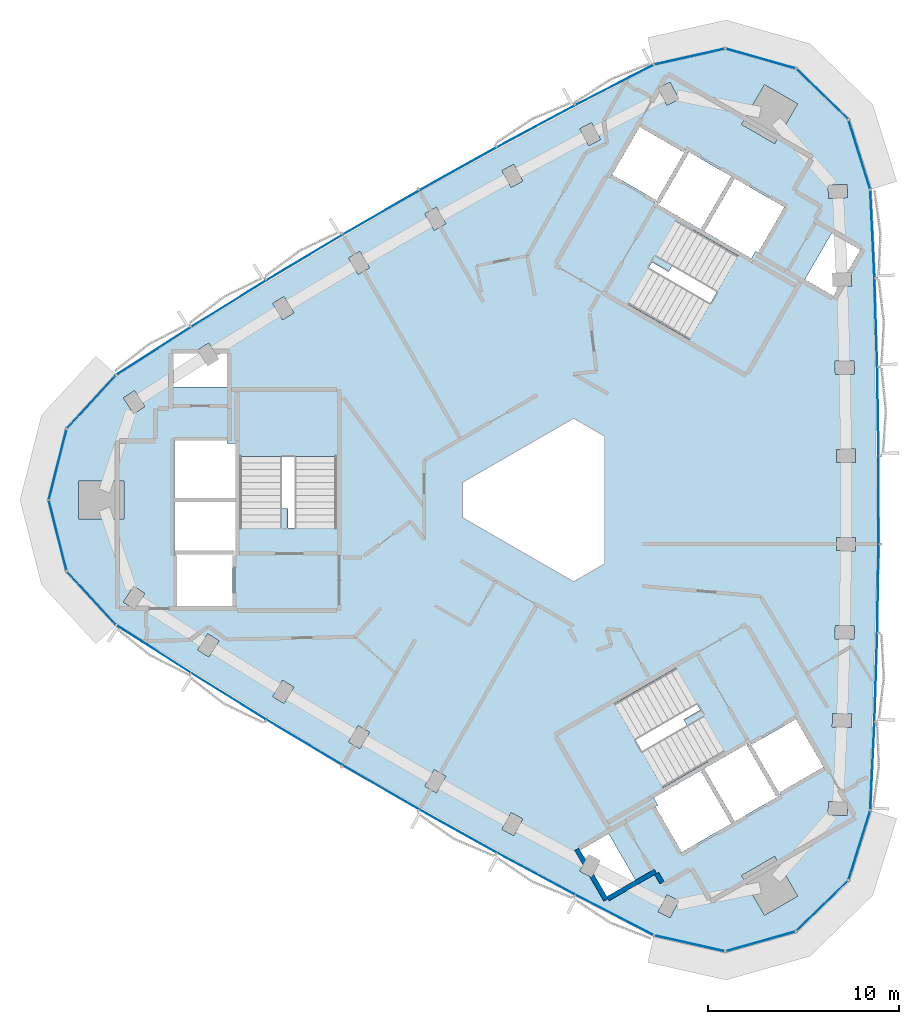
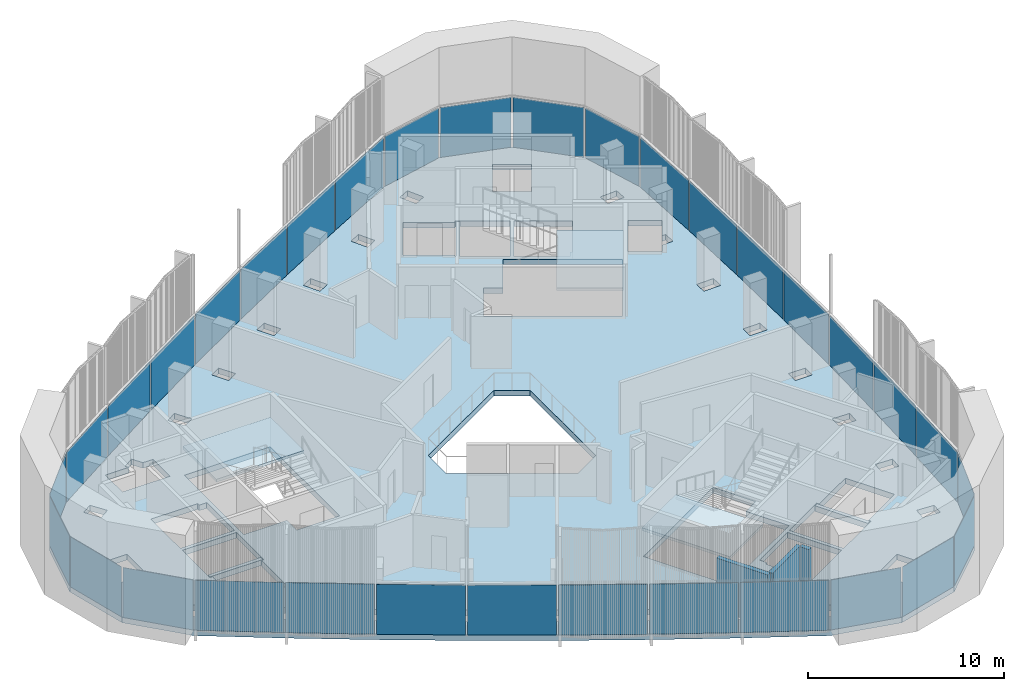
# One storey, part 5 of 13: 33 plates, 4 slabs, 3 walls, 6 elements without a shape of their own.
"""IFC4 building model written with IfcOpenShell, lengths in metres."""

from ifc_helpers import new_model, si_unit, direction, frame, frame_2d, origin, origin_2d, place, context, subcontext, project, spatial, polyline, rectangle, outline, extrude, material, layer, layer_set, type_object, element, aggregate, save


model = new_model("IFC4")

# Units and contexts
model_context = context("Model", 3, precision=1e-05, world=origin(), true_north=direction((0.0, 1.0)))
body_context = subcontext(model_context, "Body", "Model", "MODEL_VIEW")
ifc_project = project(units=[si_unit("LENGTHUNIT", "METRE"), si_unit("AREAUNIT", "SQUARE_METRE"), si_unit("VOLUMEUNIT", "CUBIC_METRE"), si_unit("PLANEANGLEUNIT", "RADIAN"), si_unit("MASSUNIT", "GRAM", prefix="KILO")], contexts=[model_context])

# Site, building, storey
site_placement = place(None, origin())
site = spatial("IfcSite", under=ifc_project, at=site_placement, CompositionType="ELEMENT")
building_placement = place(site_placement, origin())
building = spatial("IfcBuilding", under=site, at=building_placement, Name="Tamra Quay Hotel Tower", CompositionType="ELEMENT")
storey_placement = place(building_placement, frame((0.0, 0.0, 291.0)))
storey = spatial("IfcBuildingStorey", under=building, at=storey_placement, Name="L73", CompositionType="ELEMENT", Elevation=291.0)

# Stair, slab
ifc_material_1 = material(Name="Exit stair 2200 24 risers 150.0 going 342")
stair_type = type_object("IfcStairType", Name="Exit stair 2200 24 risers 150.0 going 342", PredefinedType="HALF_TURN_STAIR", material=ifc_material_1)
stair_1_placement = place(storey_placement, origin())
stair_1 = element("IfcStair", 1, at=stair_1_placement, inside=storey, type_object=stair_type, Name="L73 Exit stair ST3", PredefinedType="HALF_TURN_STAIR")
ifc_material_2 = material(Name="Concrete M70", Category="concrete")
ifc_layer_1 = layer(ifc_material_2, 0.175048828125)
ifc_layer_set_1 = layer_set([ifc_layer_1], Name="Concrete M70 stair landing 180")
slab_type_1 = type_object("IfcSlabType", Name="Concrete M70 stair landing 180", PredefinedType="LANDING", material=ifc_layer_set_1)
slab_1_placement = place(storey_placement, frame((0.0, 0.0, 1.625)))
slab_1 = element("IfcSlab", 2, at=slab_1_placement, type_object=slab_type_1, Name="ST3 landing 1", PredefinedType="LANDING", context=body_context, shape_type="SweptSolid", body=[
    extrude(outline(polyline([(-10.932373046875, 2.261962890625), (-10.932373046875, 5.679931640625), (-16.09130859375, 5.679931640625), (-16.09130859375, 2.261962890625), (-10.932373046875, 2.261962890625)])), origin(), (0.0, 0.0, 1.0), 0.175048828125),
])
aggregate(stair_1, [slab_1])

stair_2_placement = place(storey_placement, origin())
stair_2 = element("IfcStair", 3, at=stair_2_placement, inside=storey, type_object=stair_type, Name="L73 Exit stair ST1", PredefinedType="HALF_TURN_STAIR")
slab_2_placement = place(storey_placement, frame((0.0, 0.0, 1.625)))
slab_2 = element("IfcSlab", 4, at=slab_2_placement, type_object=slab_type_1, Name="ST1 landing 1", PredefinedType="LANDING", context=body_context, shape_type="SweptSolid", body=[
    extrude(outline(polyline([(7.425048828125, 8.336669921875), (10.385009765625, 6.627685546875), (12.964599609375, 11.095458984375), (10.00439453125, 12.804443359375), (7.425048828125, 8.336669921875)])), origin(), (0.0, 0.0, 1.0), 0.175048828125),
])
aggregate(stair_2, [slab_2])

stair_3_placement = place(storey_placement, origin())
stair_3 = element("IfcStair", 5, at=stair_3_placement, inside=storey, type_object=stair_type, Name="L73 Exit stair ST2", PredefinedType="HALF_TURN_STAIR")
slab_3_placement = place(storey_placement, frame((0.0, 0.0, 1.625)))
slab_3 = element("IfcSlab", 6, at=slab_3_placement, type_object=slab_type_1, Name="ST2 landing 1", PredefinedType="LANDING", context=body_context, shape_type="SweptSolid", body=[
    extrude(outline(polyline([(3.50732421875, -10.5986328125), (0.547119140625, -12.3076171875), (3.126708984375, -16.775390625), (6.086669921875, -15.06640625), (3.50732421875, -10.5986328125)])), origin(), (0.0, 0.0, 1.0), 0.175048828125),
])
aggregate(stair_3, [slab_3])

# Slab
ifc_material_3 = material(Name="Concrete M60", Category="concrete")
ifc_layer_2 = layer(ifc_material_3, 0.35009765625)
ifc_layer_set_2 = layer_set([ifc_layer_2], Name="FLOOR SLAB PT 350")
slab_type_2 = type_object("IfcSlabType", Name="FLOOR SLAB PT 350", PredefinedType="FLOOR", material=ifc_layer_set_2)
slab_4_placement = place(storey_placement, frame((0.0, 0.0, -0.35009765625)))
element("IfcSlab", 7, at=slab_4_placement, inside=storey, type_object=slab_type_2, Name="SLAB-L73", PredefinedType="FLOOR", context=body_context, shape_type="SweptSolid", body=[
    extrude(outline(polyline([(17.116943359375, 11.580810546875), (17.26171875, 6.9501953125), (17.333984375, 2.31689453125), (17.333984375, -2.31689453125), (17.26171875, -6.9501953125), (17.116943359375, -11.580810546875), (16.89990234375, -16.210205078125), (15.757080078125, -19.865966796875), (13.01171875, -22.536865234375), (9.325927734375, -23.5791015625), (5.58837890625, -22.740966796875), (1.470947265625, -20.614013671875), (-2.61181640625, -18.42431640625), (-6.660400390625, -16.170166015625), (-10.673583984375, -13.853271484375), (-14.64990234375, -11.473876953125), (-18.587890625, -9.033203125), (-22.488525390625, -6.530517578125), (-25.0830078125, -3.712890625), (-26.0234375, 0.0), (-25.0830078125, 3.712890625), (-22.488525390625, 6.530517578125), (-18.587890625, 9.033203125), (-14.64990234375, 11.473876953125), (-10.673583984375, 13.853271484375), (-6.660400390625, 16.170166015625), (-2.61181640625, 18.42431640625), (1.470947265625, 20.614013671875), (5.58837890625, 22.740966796875), (9.325927734375, 23.5791015625), (13.01171875, 22.536865234375), (15.757080078125, 19.865966796875), (16.89990234375, 16.210205078125), (17.116943359375, 11.580810546875)]), holes=[polyline([(-10.3671875, -12.641357421875), (-9.763671875, -12.99609375), (-9.2568359375, -12.13427734375), (-9.8603515625, -11.779296875), (-10.3671875, -12.641357421875)]), polyline([(-14.324462890625, -10.26708984375), (-13.7265625, -10.63134765625), (-13.206298828125, -9.77734375), (-13.803955078125, -9.4130859375), (-14.324462890625, -10.26708984375)]), polyline([(-18.244140625, -7.831298828125), (-17.652099609375, -8.20458984375), (-17.118896484375, -7.358642578125), (-17.7109375, -6.9853515625), (-18.244140625, -7.831298828125)]), polyline([(-21.57861328125, -4.497314453125), (-22.125244140625, -5.33447265625), (-21.539306640625, -5.71728515625), (-20.992431640625, -4.880126953125), (-21.57861328125, -4.497314453125)]), polyline([(-16.3173828125, -2.85498046875), (-19.4072265625, -2.85498046875), (-19.4072265625, -2.89306640625), (-19.307373046875, -2.89306640625), (-19.307373046875, -5.544921875), (-16.417236328125, -5.544921875), (-16.417236328125, -2.89306640625), (-16.3173828125, -2.89306640625), (-16.3173828125, -2.85498046875)]), polyline([(-19.417236328125, -2.64501953125), (-16.307373046875, -2.64501953125), (-16.307373046875, -2.89306640625), (-16.26708984375, -2.89306640625), (-16.26708984375, -0.10498046875), (-19.45751953125, -0.10498046875), (-19.45751953125, -2.89306640625), (-19.417236328125, -2.89306640625), (-19.417236328125, -2.64501953125)]), polyline([(-24.473388671875, 1.0), (-24.473388671875, -1.0), (-22.073486328125, -1.0), (-22.073486328125, 1.0), (-24.473388671875, 1.0)]), polyline([(-16.707275390625, 2.945068359375), (-16.707275390625, 3.09521484375), (-19.45751953125, 3.09521484375), (-19.45751953125, 0.10498046875), (-16.26708984375, 0.10498046875), (-16.26708984375, 2.945068359375), (-16.707275390625, 2.945068359375)]), polyline([(-10.9873046875, 5.625), (-16.036376953125, 5.625), (-16.036376953125, -0.455078125), (-13.5068359375, -0.455078125), (-13.5068359375, -1.455078125), (-10.9873046875, -1.455078125), (-10.9873046875, 5.625)]), polyline([(-20.992431640625, 4.880126953125), (-21.539306640625, 5.71728515625), (-22.125244140625, 5.33447265625), (-21.57861328125, 4.497314453125), (-20.992431640625, 4.880126953125)]), polyline([(-17.29931640625, 7.64501953125), (-17.652099609375, 8.20458984375), (-18.244140625, 7.831298828125), (-18.126708984375, 7.64501953125), (-19.50732421875, 7.64501953125), (-19.50732421875, 5.9150390625), (-16.71728515625, 5.9150390625), (-16.71728515625, 7.64501953125), (-17.29931640625, 7.64501953125)]), polyline([(-13.7265625, 10.63134765625), (-14.324462890625, 10.26708984375), (-13.803955078125, 9.4130859375), (-13.206298828125, 9.77734375), (-13.7265625, 10.63134765625)]), polyline([(-9.2568359375, 12.13427734375), (-9.763671875, 12.99609375), (-10.3671875, 12.641357421875), (-9.8603515625, 11.779296875), (-9.2568359375, 12.13427734375)]), polyline([(-5.271240234375, 14.428955078125), (-5.764404296875, 15.298828125), (-6.373291015625, 14.95361328125), (-5.880126953125, 14.083740234375), (-5.271240234375, 14.428955078125)]), polyline([(5.818359375, -21.51220703125), (6.44287109375, -21.828369140625), (6.89453125, -20.936279296875), (6.27001953125, -20.6201171875), (5.818359375, -21.51220703125)]), polyline([(3.236083984375, -17.43505859375), (1.73779296875, -18.300048828125), (2.02880859375, -18.80419921875), (1.720703125, -19.389404296875), (2.33984375, -19.715576171875), (2.442626953125, -19.520751953125), (3.1328125, -20.71630859375), (4.631103515625, -19.851318359375), (3.236083984375, -17.43505859375)]), polyline([(-2.34375, -17.203369140625), (-1.7294921875, -17.538818359375), (-1.25, -16.6611328125), (-1.864501953125, -16.32568359375), (-2.34375, -17.203369140625)]), polyline([(5.5830078125, -15.560302734375), (5.80322265625, -15.94140625), (5.673095703125, -16.0166015625), (7.04833984375, -18.398193359375), (9.6376953125, -16.903076171875), (8.042724609375, -14.14013671875), (5.5830078125, -15.560302734375)]), polyline([(12.214111328125, -15.369384765625), (11.999267578125, -15.493408203125), (10.4443359375, -12.800048828125), (10.6591796875, -12.676025390625), (10.63916015625, -12.64111328125), (8.224609375, -14.03515625), (9.819580078125, -16.798095703125), (12.234130859375, -15.404052734375), (12.214111328125, -15.369384765625)]), polyline([(-6.373291015625, -14.95361328125), (-5.764404296875, -15.298828125), (-5.271240234375, -14.428955078125), (-5.880126953125, -14.083740234375), (-6.373291015625, -14.95361328125)]), polyline([(3.146728515625, -16.7001953125), (8.412353515625, -13.660400390625), (7.1474609375, -11.4697265625), (8.013427734375, -10.9697265625), (6.75390625, -8.78759765625), (0.622314453125, -12.32763671875), (3.146728515625, -16.7001953125)]), polyline([(-4.39990234375, 0.923828125), (-4.39990234375, -0.923828125), (1.39990234375, -4.2724609375), (3.0, -3.3486328125), (3.0, 3.3486328125), (1.39990234375, 4.2724609375), (-4.39990234375, 0.923828125)]), polyline([(10.364990234375, 6.702880859375), (12.889404296875, 11.075439453125), (7.6240234375, 14.115478515625), (6.359375, 11.9248046875), (5.4931640625, 12.4248046875), (4.2333984375, 10.242919921875), (10.364990234375, 6.702880859375)]), polyline([(7.203125, 18.262451171875), (7.41796875, 18.138427734375), (5.863037109375, 15.445068359375), (5.648193359375, 15.569091796875), (5.628173828125, 15.5341796875), (8.04248046875, 14.140380859375), (9.6376953125, 16.903076171875), (7.22314453125, 18.297119140625), (7.203125, 18.262451171875)]), polyline([(-1.7294921875, 17.538818359375), (-2.34375, 17.203369140625), (-1.864501953125, 16.32568359375), (-1.25, 16.6611328125), (-1.7294921875, 17.538818359375)]), polyline([(5.68603515625, 15.55859375), (7.231201171875, 18.234619140625), (7.1982421875, 18.253662109375), (7.148193359375, 18.1669921875), (4.8515625, 19.4931640625), (3.406494140625, 16.990234375), (5.703125, 15.664306640625), (5.6533203125, 15.57763671875), (5.68603515625, 15.55859375)]), polyline([(2.805908203125, 18.830810546875), (2.33984375, 19.715576171875), (1.720703125, 19.389404296875), (2.186767578125, 18.504638671875), (2.805908203125, 18.830810546875)]), polyline([(6.44287109375, 21.828369140625), (5.818359375, 21.51220703125), (6.27001953125, 20.6201171875), (6.89453125, 20.936279296875), (6.44287109375, 21.828369140625)]), polyline([(10.170654296875, -19.6162109375), (11.37060546875, -21.694580078125), (13.102783203125, -20.694580078125), (11.902587890625, -18.6162109375), (10.170654296875, -19.6162109375)]), polyline([(14.68408203125, -16.43896484375), (15.6826171875, -16.493896484375), (15.720947265625, -15.794921875), (14.722412109375, -15.739990234375), (14.68408203125, -16.43896484375)]), polyline([(12.176025390625, -15.379638671875), (12.208984375, -15.360595703125), (12.1591796875, -15.274169921875), (14.455810546875, -13.947998046875), (13.0107421875, -11.4453125), (10.714111328125, -12.771240234375), (10.6640625, -12.6845703125), (10.631103515625, -12.70361328125), (12.176025390625, -15.379638671875)]), polyline([(15.904296875, -11.88427734375), (15.931396484375, -11.184814453125), (14.93212890625, -11.14599609375), (14.905029296875, -11.845703125), (15.904296875, -11.88427734375)]), polyline([(16.0537109375, -7.271728515625), (16.0703125, -6.572021484375), (15.070556640625, -6.548095703125), (15.053955078125, -7.247802734375), (16.0537109375, -7.271728515625)]), polyline([(15.13134765625, -2.6494140625), (16.13134765625, -2.657470703125), (16.136962890625, -1.95751953125), (15.136962890625, -1.94970703125), (15.13134765625, -2.6494140625)]), polyline([(15.136962890625, 1.94970703125), (16.136962890625, 1.95751953125), (16.13134765625, 2.657470703125), (15.13134765625, 2.6494140625), (15.136962890625, 1.94970703125)]), polyline([(16.0703125, 6.572021484375), (16.0537109375, 7.271728515625), (15.053955078125, 7.247802734375), (15.070556640625, 6.548095703125), (16.0703125, 6.572021484375)]), polyline([(13.481201171875, 11.52001953125), (14.9794921875, 10.655029296875), (15.2705078125, 11.1591796875), (15.931396484375, 11.184814453125), (15.904296875, 11.88427734375), (15.68408203125, 11.875732421875), (16.37451171875, 13.0712890625), (14.876220703125, 13.936279296875), (13.481201171875, 11.52001953125)]), polyline([(10.904052734375, 12.996337890625), (11.0341796875, 12.92138671875), (12.4091796875, 15.302978515625), (9.819580078125, 16.798095703125), (8.224365234375, 14.035400390625), (10.68408203125, 12.615234375), (10.904052734375, 12.996337890625)]), polyline([(14.722412109375, 15.739990234375), (15.720947265625, 15.794921875), (15.6826171875, 16.493896484375), (14.68408203125, 16.43896484375), (14.722412109375, 15.739990234375)]), polyline([(11.902587890625, 18.6162109375), (13.102783203125, 20.694580078125), (11.37060546875, 21.694580078125), (10.170654296875, 19.6162109375), (11.902587890625, 18.6162109375)])]), origin(), (0.0, 0.0, 1.0), 0.35009765625),
])

# Curtain wall, plates
ifc_material_4 = material(Name="Aluminium 6063 anodised dark grey", Category="aluminium")
curtain_wall_type_1 = type_object("IfcCurtainWallType", Name="CW1 CURTAIN WALL", PredefinedType="NOTDEFINED", material=ifc_material_4)
curtain_wall_1_placement = place(storey_placement, origin())
curtain_wall_1 = element("IfcCurtainWall", 8, at=curtain_wall_1_placement, inside=storey, type_object=curtain_wall_type_1, Name="CW1 east face L73", PredefinedType="NOTDEFINED")
ifc_material_5 = material(Name="Glass clear laminated low-iron", Category="glass")
ifc_layer_3 = layer(ifc_material_5, 0.02587890625)
ifc_layer_set_3 = layer_set([ifc_layer_3], Name="GLASS PANEL CW1 Z6")
plate_type_1 = type_object("IfcPlateType", Name="GLASS PANEL CW1 Z6", PredefinedType="CURTAIN_PANEL", material=ifc_layer_set_3)
plate_1_placement = place(storey_placement, frame((17.00830078125, -13.8955078125, 0.0), z_axis=(0.0, 0.0, 1.0), x_axis=(0.04682126455, 0.998903283199, 0.0)))
plate_1 = element("IfcPlate", 9, at=plate_1_placement, type_object=plate_type_1, Name="CW1 glass L73.E.1", PredefinedType="CURTAIN_PANEL", context=body_context, shape_type="SweptSolid", body=[
    extrude(rectangle(XDim=4.534423828125, YDim=0.02587890625, at=origin_2d()), origin(), (0.0, 0.0, 1.0), 3.110107421875),
])
plate_2_placement = place(storey_placement, frame((17.189208984375, -9.265625, 0.0), z_axis=(0.0, 0.0, 1.0), x_axis=(0.031241804319, 0.999511855689, 0.0)))
plate_2 = element("IfcPlate", 10, at=plate_2_placement, type_object=plate_type_1, Name="CW1 glass L73.E.2", PredefinedType="CURTAIN_PANEL", context=body_context, shape_type="SweptSolid", body=[
    extrude(rectangle(XDim=4.532958984375, YDim=0.02587890625, at=origin_2d()), origin(), (0.0, 0.0, 1.0), 3.110107421875),
])
plate_3_placement = place(storey_placement, frame((17.2978515625, -4.633544921875, 0.0), z_axis=(0.0, 0.0, 1.0), x_axis=(0.01563239478, 0.999877806651, 0.0)))
plate_3 = element("IfcPlate", 11, at=plate_3_placement, type_object=plate_type_1, Name="CW1 glass L73.E.3", PredefinedType="CURTAIN_PANEL", context=body_context, shape_type="SweptSolid", body=[
    extrude(rectangle(XDim=4.533935546875, YDim=0.02587890625, at=origin_2d()), origin(), (0.0, 0.0, 1.0), 3.110107421875),
])
plate_4_placement = place(storey_placement, frame((17.333984375, 0.0, 0.0), z_axis=(0.0, 0.0, 1.0), x_axis=(0.0, 1.0, 0.0)))
plate_4 = element("IfcPlate", 12, at=plate_4_placement, type_object=plate_type_1, Name="CW1 glass L73.E.4", PredefinedType="CURTAIN_PANEL", context=body_context, shape_type="SweptSolid", body=[
    extrude(rectangle(XDim=4.533935546875, YDim=0.02587890625, at=origin_2d()), origin(), (0.0, 0.0, 1.0), 3.110107421875),
])
plate_5_placement = place(storey_placement, frame((17.2978515625, 4.633544921875, 0.0), z_axis=(0.0, 0.0, 1.0), x_axis=(-0.01563239478, 0.999877806651, 0.0)))
plate_5 = element("IfcPlate", 13, at=plate_5_placement, type_object=plate_type_1, Name="CW1 glass L73.E.5", PredefinedType="CURTAIN_PANEL", context=body_context, shape_type="SweptSolid", body=[
    extrude(rectangle(XDim=4.533935546875, YDim=0.02587890625, at=origin_2d()), origin(), (0.0, 0.0, 1.0), 3.110107421875),
])
plate_6_placement = place(storey_placement, frame((17.189208984375, 9.265625, 0.0), z_axis=(0.0, 0.0, 1.0), x_axis=(-0.031241804319, 0.999511855689, 0.0)))
plate_6 = element("IfcPlate", 14, at=plate_6_placement, type_object=plate_type_1, Name="CW1 glass L73.E.6", PredefinedType="CURTAIN_PANEL", context=body_context, shape_type="SweptSolid", body=[
    extrude(rectangle(XDim=4.532958984375, YDim=0.02587890625, at=origin_2d()), origin(), (0.0, 0.0, 1.0), 3.110107421875),
])
plate_7_placement = place(storey_placement, frame((17.00830078125, 13.8955078125, 0.0), z_axis=(0.0, 0.0, 1.0), x_axis=(-0.04682126455, 0.998903283199, 0.0)))
plate_7 = element("IfcPlate", 15, at=plate_7_placement, type_object=plate_type_1, Name="CW1 glass L73.E.7", PredefinedType="CURTAIN_PANEL", context=body_context, shape_type="SweptSolid", body=[
    extrude(rectangle(XDim=4.534423828125, YDim=0.02587890625, at=origin_2d()), origin(), (0.0, 0.0, 1.0), 3.110107421875),
])
plate_8_placement = place(storey_placement, frame((16.328369140625, 18.0380859375, 0.0), z_axis=(0.0, 0.0, 1.0), x_axis=(-0.29839239288, 0.954443282689, 0.0)))
plate_8 = element("IfcPlate", 16, at=plate_8_placement, type_object=plate_type_1, Name="CW1 glass L73.E.8", PredefinedType="CURTAIN_PANEL", context=body_context, shape_type="SweptSolid", body=[
    extrude(rectangle(XDim=3.730224609375, YDim=0.02587890625, at=origin_2d()), origin(), (0.0, 0.0, 1.0), 3.110107421875),
])
plate_9_placement = place(storey_placement, frame((14.38427734375, 21.201416015625, 0.0), z_axis=(0.0, 0.0, 1.0), x_axis=(-0.716752699854, 0.69732744622, 0.0)))
plate_9 = element("IfcPlate", 17, at=plate_9_placement, type_object=plate_type_1, Name="CW1 glass L73.E.9", PredefinedType="CURTAIN_PANEL", context=body_context, shape_type="SweptSolid", body=[
    extrude(rectangle(XDim=3.730224609375, YDim=0.02587890625, at=origin_2d()), origin(), (0.0, 0.0, 1.0), 3.110107421875),
])
plate_10_placement = place(storey_placement, frame((11.168701171875, 23.057861328125, 0.0), z_axis=(0.0, 0.0, 1.0), x_axis=(-0.96227963311, 0.272062323195, 0.0)))
plate_10 = element("IfcPlate", 18, at=plate_10_placement, type_object=plate_type_1, Name="CW1 glass L73.E.10", PredefinedType="CURTAIN_PANEL", context=body_context, shape_type="SweptSolid", body=[
    extrude(rectangle(XDim=3.730224609375, YDim=0.02587890625, at=origin_2d()), origin(), (0.0, 0.0, 1.0), 3.110107421875),
])
plate_11_placement = place(storey_placement, frame((7.457275390625, 23.159912109375, 0.0), z_axis=(0.0, 0.0, 1.0), x_axis=(-0.975768325721, -0.218806248814, 0.0)))
plate_11 = element("IfcPlate", 19, at=plate_11_placement, type_object=plate_type_1, Name="CW1 glass L73.E.11", PredefinedType="CURTAIN_PANEL", context=body_context, shape_type="SweptSolid", body=[
    extrude(rectangle(XDim=3.730224609375, YDim=0.02587890625, at=origin_2d()), origin(), (0.0, 0.0, 1.0), 3.110107421875),
])
aggregate(curtain_wall_1, [plate_1, plate_2, plate_3, plate_4, plate_5, plate_6, plate_7, plate_8, plate_9, plate_10, plate_11])

curtain_wall_type_2 = type_object("IfcCurtainWallType", Name="CW2 CURTAIN WALL", PredefinedType="NOTDEFINED", material=ifc_material_4)
curtain_wall_2_placement = place(storey_placement, origin())
curtain_wall_2 = element("IfcCurtainWall", 20, at=curtain_wall_2_placement, inside=storey, type_object=curtain_wall_type_2, Name="CW2 north-west face L73", PredefinedType="NOTDEFINED")
ifc_layer_4 = layer(ifc_material_5, 0.02587890625)
ifc_layer_set_4 = layer_set([ifc_layer_4], Name="GLASS PANEL CW2 Z6")
plate_type_2 = type_object("IfcPlateType", Name="GLASS PANEL CW2 Z6", PredefinedType="CURTAIN_PANEL", material=ifc_layer_set_4)
plate_12_placement = place(storey_placement, frame((3.52978515625, 21.677490234375, 0.0), z_axis=(0.0, 0.0, 1.0), x_axis=(-0.888486251449, -0.458903237062, 0.0)))
plate_12 = element("IfcPlate", 21, at=plate_12_placement, type_object=plate_type_2, Name="CW2 glass L73.NW.1", PredefinedType="CURTAIN_PANEL", context=body_context, shape_type="SweptSolid", body=[
    extrude(rectangle(XDim=4.534423828125, YDim=0.02587890625, at=origin_2d()), origin(), (0.0, 0.0, 1.0), 3.110107421875),
])
plate_13_placement = place(storey_placement, frame((-0.5703125, 19.51904296875, 0.0), z_axis=(0.0, 0.0, 1.0), x_axis=(-0.88122356057, -0.472699731644, 0.0)))
plate_13 = element("IfcPlate", 22, at=plate_13_placement, type_object=plate_type_2, Name="CW2 glass L73.NW.2", PredefinedType="CURTAIN_PANEL", context=body_context, shape_type="SweptSolid", body=[
    extrude(rectangle(XDim=4.532958984375, YDim=0.02587890625, at=origin_2d()), origin(), (0.0, 0.0, 1.0), 3.110107421875),
])
plate_14_placement = place(storey_placement, frame((-4.635986328125, 17.297119140625, 0.0), z_axis=(0.0, 0.0, 1.0), x_axis=(-0.87373577863, -0.486400852324, 0.0)))
plate_14 = element("IfcPlate", 23, at=plate_14_placement, type_object=plate_type_2, Name="CW2 glass L73.NW.3", PredefinedType="CURTAIN_PANEL", context=body_context, shape_type="SweptSolid", body=[
    extrude(rectangle(XDim=4.533935546875, YDim=0.02587890625, at=origin_2d()), origin(), (0.0, 0.0, 1.0), 3.110107421875),
])
plate_15_placement = place(storey_placement, frame((-8.6669921875, 15.01171875, 0.0), z_axis=(0.0, 0.0, 1.0), x_axis=(-0.866025403784, -0.5, 0.0)))
plate_15 = element("IfcPlate", 24, at=plate_15_placement, type_object=plate_type_2, Name="CW2 glass L73.NW.4", PredefinedType="CURTAIN_PANEL", context=body_context, shape_type="SweptSolid", body=[
    extrude(rectangle(XDim=4.533935546875, YDim=0.02587890625, at=origin_2d()), origin(), (0.0, 0.0, 1.0), 3.110107421875),
])
plate_16_placement = place(storey_placement, frame((-12.661865234375, 12.66357421875, 0.0), z_axis=(0.0, 0.0, 1.0), x_axis=(-0.85810338385, -0.513476954327, 0.0)))
plate_16 = element("IfcPlate", 25, at=plate_16_placement, type_object=plate_type_2, Name="CW2 glass L73.NW.5", PredefinedType="CURTAIN_PANEL", context=body_context, shape_type="SweptSolid", body=[
    extrude(rectangle(XDim=4.533935546875, YDim=0.02587890625, at=origin_2d()), origin(), (0.0, 0.0, 1.0), 3.110107421875),
])
plate_17_placement = place(storey_placement, frame((-16.618896484375, 10.25341796875, 0.0), z_axis=(0.0, 0.0, 1.0), x_axis=(-0.849981756251, -0.526812124045, 0.0)))
plate_17 = element("IfcPlate", 26, at=plate_17_placement, type_object=plate_type_2, Name="CW2 glass L73.NW.6", PredefinedType="CURTAIN_PANEL", context=body_context, shape_type="SweptSolid", body=[
    extrude(rectangle(XDim=4.532958984375, YDim=0.02587890625, at=origin_2d()), origin(), (0.0, 0.0, 1.0), 3.110107421875),
])
plate_18_placement = place(storey_placement, frame((-20.5380859375, 7.781982421875, 0.0), z_axis=(0.0, 0.0, 1.0), x_axis=(-0.841664986899, -0.540000046137, 0.0)))
plate_18 = element("IfcPlate", 27, at=plate_18_placement, type_object=plate_type_2, Name="CW2 glass L73.NW.7", PredefinedType="CURTAIN_PANEL", context=body_context, shape_type="SweptSolid", body=[
    extrude(rectangle(XDim=4.534423828125, YDim=0.02587890625, at=origin_2d()), origin(), (0.0, 0.0, 1.0), 3.110107421875),
])
plate_19_placement = place(storey_placement, frame((-23.78564453125, 5.121826171875, 0.0), z_axis=(0.0, 0.0, 1.0), x_axis=(-0.67737593284, -0.735637033875, 0.0)))
plate_19 = element("IfcPlate", 28, at=plate_19_placement, type_object=plate_type_2, Name="CW2 glass L73.NW.8", PredefinedType="CURTAIN_PANEL", context=body_context, shape_type="SweptSolid", body=[
    extrude(rectangle(XDim=3.730224609375, YDim=0.02587890625, at=origin_2d()), origin(), (0.0, 0.0, 1.0), 3.110107421875),
])
plate_20_placement = place(storey_placement, frame((-25.55322265625, 1.8564453125, 0.0), z_axis=(0.0, 0.0, 1.0), x_axis=(-0.245526933255, -0.969389769415, 0.0)))
plate_20 = element("IfcPlate", 29, at=plate_20_placement, type_object=plate_type_2, Name="CW2 glass L73.NW.9", PredefinedType="CURTAIN_PANEL", context=body_context, shape_type="SweptSolid", body=[
    extrude(rectangle(XDim=3.730224609375, YDim=0.02587890625, at=origin_2d()), origin(), (0.0, 0.0, 1.0), 3.110107421875),
])
plate_21_placement = place(storey_placement, frame((-25.55322265625, -1.8564453125, 0.0), z_axis=(0.0, 0.0, 1.0), x_axis=(0.245526933255, -0.969389769415, 0.0)))
plate_21 = element("IfcPlate", 30, at=plate_21_placement, type_object=plate_type_2, Name="CW2 glass L73.NW.10", PredefinedType="CURTAIN_PANEL", context=body_context, shape_type="SweptSolid", body=[
    extrude(rectangle(XDim=3.730224609375, YDim=0.02587890625, at=origin_2d()), origin(), (0.0, 0.0, 1.0), 3.110107421875),
])
plate_22_placement = place(storey_placement, frame((-23.78564453125, -5.121826171875, 0.0), z_axis=(0.0, 0.0, 1.0), x_axis=(0.67737593284, -0.735637033875, 0.0)))
plate_22 = element("IfcPlate", 31, at=plate_22_placement, type_object=plate_type_2, Name="CW2 glass L73.NW.11", PredefinedType="CURTAIN_PANEL", context=body_context, shape_type="SweptSolid", body=[
    extrude(rectangle(XDim=3.730224609375, YDim=0.02587890625, at=origin_2d()), origin(), (0.0, 0.0, 1.0), 3.110107421875),
])
aggregate(curtain_wall_2, [plate_12, plate_13, plate_14, plate_15, plate_16, plate_17, plate_18, plate_19, plate_20, plate_21, plate_22])

curtain_wall_type_3 = type_object("IfcCurtainWallType", Name="CW3 CURTAIN WALL", PredefinedType="NOTDEFINED", material=ifc_material_4)
curtain_wall_3_placement = place(storey_placement, origin())
curtain_wall_3 = element("IfcCurtainWall", 32, at=curtain_wall_3_placement, inside=storey, type_object=curtain_wall_type_3, Name="CW3 south-west face L73", PredefinedType="NOTDEFINED")
ifc_layer_5 = layer(ifc_material_5, 0.02587890625)
ifc_layer_set_5 = layer_set([ifc_layer_5], Name="GLASS PANEL CW3 Z6")
plate_type_3 = type_object("IfcPlateType", Name="GLASS PANEL CW3 Z6", PredefinedType="CURTAIN_PANEL", material=ifc_layer_set_5)
plate_23_placement = place(storey_placement, frame((-20.5380859375, -7.781982421875, 0.0), z_axis=(0.0, 0.0, 1.0), x_axis=(0.841664986899, -0.540000046137, 0.0)))
plate_23 = element("IfcPlate", 33, at=plate_23_placement, type_object=plate_type_3, Name="CW3 glass L73.SW.1", PredefinedType="CURTAIN_PANEL", context=body_context, shape_type="SweptSolid", body=[
    extrude(rectangle(XDim=4.534423828125, YDim=0.02587890625, at=origin_2d()), origin(), (0.0, 0.0, 1.0), 3.110107421875),
])
plate_24_placement = place(storey_placement, frame((-16.618896484375, -10.25341796875, 0.0), z_axis=(0.0, 0.0, 1.0), x_axis=(0.849981756251, -0.526812124045, 0.0)))
plate_24 = element("IfcPlate", 34, at=plate_24_placement, type_object=plate_type_3, Name="CW3 glass L73.SW.2", PredefinedType="CURTAIN_PANEL", context=body_context, shape_type="SweptSolid", body=[
    extrude(rectangle(XDim=4.532958984375, YDim=0.02587890625, at=origin_2d()), origin(), (0.0, 0.0, 1.0), 3.110107421875),
])
plate_25_placement = place(storey_placement, frame((-12.661865234375, -12.66357421875, 0.0), z_axis=(0.0, 0.0, 1.0), x_axis=(0.85810338385, -0.513476954327, 0.0)))
plate_25 = element("IfcPlate", 35, at=plate_25_placement, type_object=plate_type_3, Name="CW3 glass L73.SW.3", PredefinedType="CURTAIN_PANEL", context=body_context, shape_type="SweptSolid", body=[
    extrude(rectangle(XDim=4.533935546875, YDim=0.02587890625, at=origin_2d()), origin(), (0.0, 0.0, 1.0), 3.110107421875),
])
plate_26_placement = place(storey_placement, frame((-8.6669921875, -15.01171875, 0.0), z_axis=(0.0, 0.0, 1.0), x_axis=(0.866025403784, -0.5, 0.0)))
plate_26 = element("IfcPlate", 36, at=plate_26_placement, type_object=plate_type_3, Name="CW3 glass L73.SW.4", PredefinedType="CURTAIN_PANEL", context=body_context, shape_type="SweptSolid", body=[
    extrude(rectangle(XDim=4.533935546875, YDim=0.02587890625, at=origin_2d()), origin(), (0.0, 0.0, 1.0), 3.110107421875),
])
plate_27_placement = place(storey_placement, frame((-4.635986328125, -17.297119140625, 0.0), z_axis=(0.0, 0.0, 1.0), x_axis=(0.87373577863, -0.486400852324, 0.0)))
plate_27 = element("IfcPlate", 37, at=plate_27_placement, type_object=plate_type_3, Name="CW3 glass L73.SW.5", PredefinedType="CURTAIN_PANEL", context=body_context, shape_type="SweptSolid", body=[
    extrude(rectangle(XDim=4.533935546875, YDim=0.02587890625, at=origin_2d()), origin(), (0.0, 0.0, 1.0), 3.110107421875),
])
plate_28_placement = place(storey_placement, frame((-0.5703125, -19.51904296875, 0.0), z_axis=(0.0, 0.0, 1.0), x_axis=(0.88122356057, -0.472699731644, 0.0)))
plate_28 = element("IfcPlate", 38, at=plate_28_placement, type_object=plate_type_3, Name="CW3 glass L73.SW.6", PredefinedType="CURTAIN_PANEL", context=body_context, shape_type="SweptSolid", body=[
    extrude(rectangle(XDim=4.532958984375, YDim=0.02587890625, at=origin_2d()), origin(), (0.0, 0.0, 1.0), 3.110107421875),
])
plate_29_placement = place(storey_placement, frame((3.52978515625, -21.677490234375, 0.0), z_axis=(0.0, 0.0, 1.0), x_axis=(0.888486251449, -0.458903237062, 0.0)))
plate_29 = element("IfcPlate", 39, at=plate_29_placement, type_object=plate_type_3, Name="CW3 glass L73.SW.7", PredefinedType="CURTAIN_PANEL", context=body_context, shape_type="SweptSolid", body=[
    extrude(rectangle(XDim=4.534423828125, YDim=0.02587890625, at=origin_2d()), origin(), (0.0, 0.0, 1.0), 3.110107421875),
])
plate_30_placement = place(storey_placement, frame((7.457275390625, -23.159912109375, 0.0), z_axis=(0.0, 0.0, 1.0), x_axis=(0.975768325721, -0.218806248814, 0.0)))
plate_30 = element("IfcPlate", 40, at=plate_30_placement, type_object=plate_type_3, Name="CW3 glass L73.SW.8", PredefinedType="CURTAIN_PANEL", context=body_context, shape_type="SweptSolid", body=[
    extrude(rectangle(XDim=3.730224609375, YDim=0.02587890625, at=origin_2d()), origin(), (0.0, 0.0, 1.0), 3.110107421875),
])
plate_31_placement = place(storey_placement, frame((11.168701171875, -23.057861328125, 0.0), z_axis=(0.0, 0.0, 1.0), x_axis=(0.96227963311, 0.272062323195, 0.0)))
plate_31 = element("IfcPlate", 41, at=plate_31_placement, type_object=plate_type_3, Name="CW3 glass L73.SW.9", PredefinedType="CURTAIN_PANEL", context=body_context, shape_type="SweptSolid", body=[
    extrude(rectangle(XDim=3.730224609375, YDim=0.02587890625, at=origin_2d()), origin(), (0.0, 0.0, 1.0), 3.110107421875),
])
plate_32_placement = place(storey_placement, frame((14.38427734375, -21.201416015625, 0.0), z_axis=(0.0, 0.0, 1.0), x_axis=(0.716752699854, 0.69732744622, 0.0)))
plate_32 = element("IfcPlate", 42, at=plate_32_placement, type_object=plate_type_3, Name="CW3 glass L73.SW.10", PredefinedType="CURTAIN_PANEL", context=body_context, shape_type="SweptSolid", body=[
    extrude(rectangle(XDim=3.730224609375, YDim=0.02587890625, at=origin_2d()), origin(), (0.0, 0.0, 1.0), 3.110107421875),
])
plate_33_placement = place(storey_placement, frame((16.328369140625, -18.0380859375, 0.0), z_axis=(0.0, 0.0, 1.0), x_axis=(0.29839239288, 0.954443282689, 0.0)))
plate_33 = element("IfcPlate", 43, at=plate_33_placement, type_object=plate_type_3, Name="CW3 glass L73.SW.11", PredefinedType="CURTAIN_PANEL", context=body_context, shape_type="SweptSolid", body=[
    extrude(rectangle(XDim=3.730224609375, YDim=0.02587890625, at=origin_2d()), origin(), (0.0, 0.0, 1.0), 3.110107421875),
])
aggregate(curtain_wall_3, [plate_23, plate_24, plate_25, plate_26, plate_27, plate_28, plate_29, plate_30, plate_31, plate_32, plate_33])

# Walls
ifc_layer_6 = layer(ifc_material_2, 0.25)
ifc_layer_set_6 = layer_set([ifc_layer_6], Name="Concrete M70 core wall 250")
wall_type = type_object("IfcWallType", Name="Concrete M70 core wall 250", PredefinedType="SHEAR", material=ifc_layer_set_6)
wall_1_placement = place(storey_placement, frame((3.085205078125, -20.893798828125, 0.0), z_axis=(0.0, 0.0, 1.0), x_axis=(-0.499978833458, 0.866037623948, 0.0)))
element("IfcWall", 44, at=wall_1_placement, inside=storey, type_object=wall_type, Name="CW1", PredefinedType="SHEAR", context=body_context, shape_type="SweptSolid", body=[
    extrude(rectangle(XDim=3.050048828125, YDim=0.25, at=frame_2d((1.52490234375, 0.0))), origin(), (0.0, 0.0, 1.0), 3.25),
])
wall_2_placement = place(storey_placement, frame((5.6748046875, -19.39892578125, 0.0), z_axis=(0.0, 0.0, 1.0), x_axis=(-0.866026637627, -0.499997862916, 0.0)))
element("IfcWall", 45, at=wall_2_placement, inside=storey, type_object=wall_type, Name="CW1", PredefinedType="SHEAR", context=body_context, shape_type="SweptSolid", body=[
    extrude(rectangle(XDim=2.86474609375, YDim=0.25, at=frame_2d((1.432373046875, 0.0))), origin(), (0.0, 0.0, 1.0), 3.25),
])
wall_3_placement = place(storey_placement, frame((6.01708984375, -19.99169921875, 0.0), z_axis=(0.0, 0.0, 1.0), x_axis=(-0.500364886717, 0.865814633822, 0.0)))
element("IfcWall", 46, at=wall_3_placement, inside=storey, type_object=wall_type, Name="CW1", PredefinedType="SHEAR", context=body_context, shape_type="SweptSolid", body=[
    extrude(rectangle(XDim=0.55908203125, YDim=0.25, at=frame_2d((0.279541015625, 0.0))), origin(), (0.0, 0.0, 1.0), 3.25),
])

save(model, "model.ifc")
